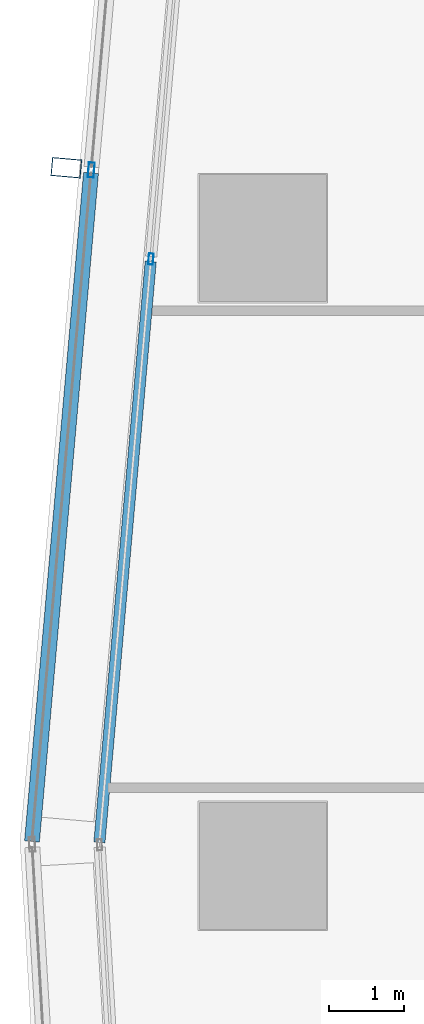
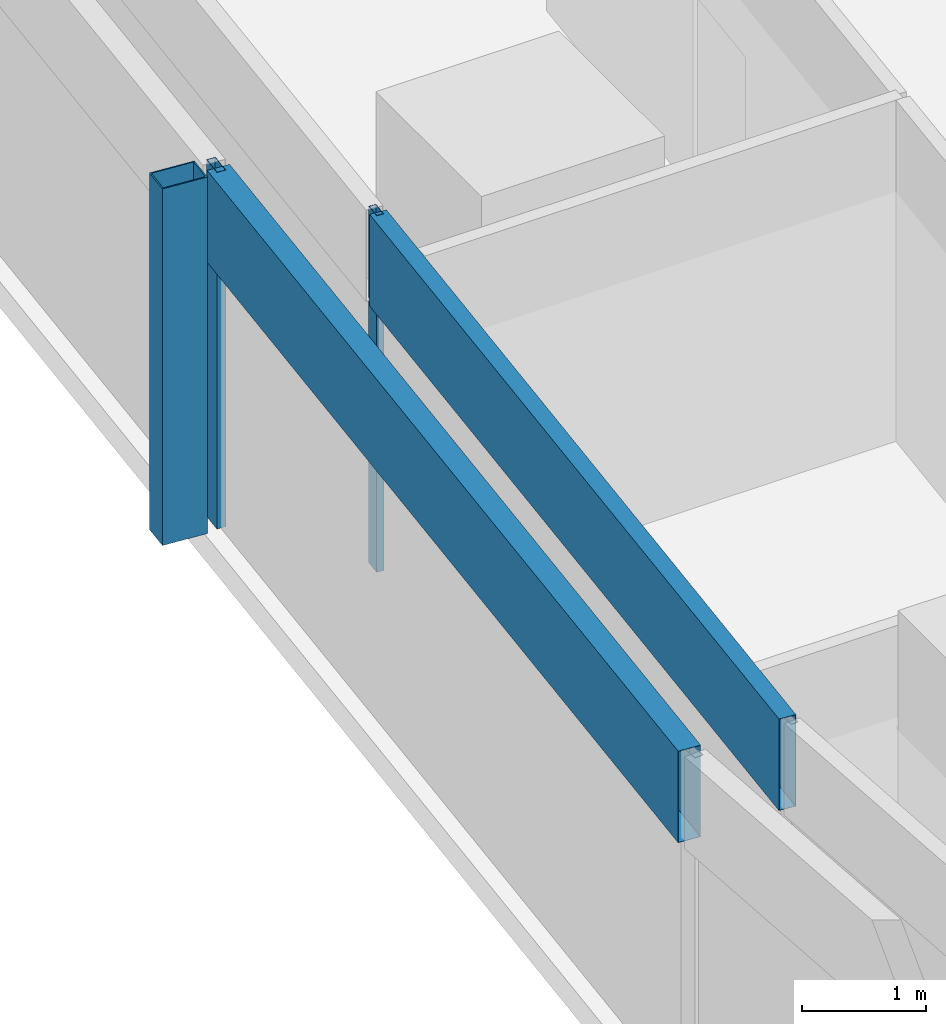
# One storey, part 16 of 39: 5 members, 2 elements without a shape of their own.
"""IFC4 building model written with IfcOpenShell, lengths in metres."""

from ifc_helpers import new_model, si_unit, direction, frame, origin, origin_2d, place, context, subcontext, project, spatial, hollow_rectangle, extrude, material, material_profile, profile_set, type_object, element, aggregate, save


model = new_model("IFC4")

# Units and contexts
model_context = context("Model", 3, precision=1e-05, world=origin(), true_north=direction((0.0, 1.0)))
body_context = subcontext(model_context, "Body", "Model", "MODEL_VIEW")
ifc_project = project(units=[si_unit("LENGTHUNIT", "METRE"), si_unit("AREAUNIT", "SQUARE_METRE"), si_unit("VOLUMEUNIT", "CUBIC_METRE"), si_unit("PLANEANGLEUNIT", "RADIAN"), si_unit("MASSUNIT", "GRAM", prefix="KILO")], contexts=[model_context])

# Site, building, storey
site_placement = place(None, origin())
site = spatial("IfcSite", under=ifc_project, at=site_placement, CompositionType="ELEMENT")
building_placement = place(site_placement, origin())
building = spatial("IfcBuilding", under=site, at=building_placement, Name="Rekha Terrace Tower", CompositionType="ELEMENT")
storey_placement = place(building_placement, frame((0.0, 0.0, 180.199951171875)))
storey = spatial("IfcBuildingStorey", under=building, at=storey_placement, Name="L45", CompositionType="ELEMENT", Elevation=180.199951171875)

# Curtain wall, member
ifc_material_1 = material(Name="Aluminium framing", Category="aluminium")
curtain_wall_type_1 = type_object("IfcCurtainWallType", Name="CW2 double skin outer glazing", PredefinedType="USERDEFINED", material=ifc_material_1)
curtain_wall_1_placement = place(storey_placement, origin())
curtain_wall_1 = element("IfcCurtainWall", 1, at=curtain_wall_1_placement, inside=storey, type_object=curtain_wall_type_1, Name="CW2 double skin outer glazing", ObjectType="DOUBLE SKIN OUTER GLAZING", PredefinedType="USERDEFINED")
ifc_material_2 = material(Name="Steel S355 with fluorocarbon finish", Category="steel")
ifc_material_profile_1 = material_profile(ifc_material_2, hollow_rectangle(XDim=0.25, YDim=0.39990234375, WallThickness=0.012451171875, at=origin_2d()), Name="RHS400x250x12.5")
ifc_profile_set_1 = profile_set([ifc_material_profile_1], Name="Steel S355 with fluorocarbon finish")
member_type_1 = type_object("IfcMemberType", Name="BL1 facade blade RHS 400 x 250", PredefinedType="USERDEFINED", material=ifc_profile_set_1)
member_1_placement = place(storey_placement, frame((5.77001953125, 51.341796875, 0.0), z_axis=(0.0, 0.0, 1.0), x_axis=(-0.087957249501, -0.996124250413, 0.0)))
member_1 = element("IfcMember", 2, at=member_1_placement, type_object=member_type_1, Name="Facade blade", ObjectType="FACADE BLADE", PredefinedType="USERDEFINED", context=body_context, shape_type="SweptSolid", body=[
    extrude(hollow_rectangle(XDim=0.25, YDim=0.39990234375, WallThickness=0.012451171875, at=origin_2d()), origin(), (0.0, 0.0, 1.0), 3.5),
])

# Curtain wall, members
curtain_wall_type_2 = type_object("IfcCurtainWallType", Name="CW1 double skin inner glazing", PredefinedType="USERDEFINED", material=ifc_material_1)
curtain_wall_2_placement = place(storey_placement, origin())
curtain_wall_2 = element("IfcCurtainWall", 3, at=curtain_wall_2_placement, inside=storey, type_object=curtain_wall_type_2, Name="CW1 double skin inner glazing", ObjectType="DOUBLE SKIN INNER GLAZING", PredefinedType="USERDEFINED")
ifc_material_3 = material(Name="Aluminium mullion section", Category="aluminium")
ifc_material_profile_2 = material_profile(ifc_material_3, hollow_rectangle(XDim=0.06494140625, YDim=0.14990234375, WallThickness=0.00390625, at=origin_2d()), Name="AL RHS 65x150")
ifc_profile_set_2 = profile_set([ifc_material_profile_2], Name="Aluminium mullion section")
member_type_2 = type_object("IfcMemberType", Name="CW1 mullion RHS 65 x 150", PredefinedType="MULLION", material=ifc_profile_set_2)
member_2_placement = place(storey_placement, frame((6.902099609375, 50.120361328125, 0.0), z_axis=(0.0, 0.0, 1.0), x_axis=(0.996124185425, -0.087957985488, 0.0)))
member_2 = element("IfcMember", 4, at=member_2_placement, type_object=member_type_2, Name="CW1 mullion 2", PredefinedType="MULLION", context=body_context, shape_type="SweptSolid", body=[
    extrude(hollow_rectangle(XDim=0.06494140625, YDim=0.14990234375, WallThickness=0.00390625, at=origin_2d()), origin(), (0.0, 0.0, 1.0), 3.5),
])
ifc_material_4 = material(Name="Insulated aluminium spandrel box", Category="aluminium")
ifc_material_profile_3 = material_profile(ifc_material_4, hollow_rectangle(XDim=0.14990234375, YDim=0.89990234375, WallThickness=0.0029296875, at=origin_2d()), Name="AL SPANDREL BOX 150x900")
ifc_profile_set_3 = profile_set([ifc_material_profile_3], Name="Insulated aluminium spandrel box")
member_type_3 = type_object("IfcMemberType", Name="CW1 spandrel transom 150 x 900", PredefinedType="USERDEFINED", material=ifc_profile_set_3)
member_3_placement = place(storey_placement, frame((6.899169921875, 50.087890625, 3.050048828125), z_axis=(-0.087974158084, -0.996122757249, 0.0), x_axis=(0.996122757249, -0.087974158084, 0.0)))
member_3 = element("IfcMember", 5, at=member_3_placement, type_object=member_type_3, Name="CW1 spandrel transom 2", ObjectType="TRANSOM", PredefinedType="USERDEFINED", context=body_context, shape_type="SweptSolid", body=[
    extrude(hollow_rectangle(XDim=0.14990234375, YDim=0.89990234375, WallThickness=0.0029296875, at=origin_2d()), origin(), (0.0, 0.0, 1.0), 7.8037109375),
])
aggregate(curtain_wall_2, [member_2, member_3])

# Member
ifc_material_profile_4 = material_profile(ifc_material_3, hollow_rectangle(XDim=0.080078125, YDim=0.199951171875, WallThickness=0.00390625, at=origin_2d()), Name="AL RHS 80x200")
ifc_profile_set_4 = profile_set([ifc_material_profile_4], Name="Aluminium mullion section")
member_type_4 = type_object("IfcMemberType", Name="CW2 mullion RHS 80 x 200", PredefinedType="MULLION", material=ifc_profile_set_4)
member_4_placement = place(storey_placement, frame((6.103759765625, 51.312255859375, 0.0), z_axis=(0.0, 0.0, 1.0), x_axis=(0.996124185428, -0.087957985453, 0.0)))
member_4 = element("IfcMember", 6, at=member_4_placement, type_object=member_type_4, Name="CW2 mullion 2", PredefinedType="MULLION", context=body_context, shape_type="SweptSolid", body=[
    extrude(hollow_rectangle(XDim=0.080078125, YDim=0.199951171875, WallThickness=0.00390625, at=origin_2d()), origin(), (0.0, 0.0, 1.0), 3.5),
])

ifc_material_profile_5 = material_profile(ifc_material_4, hollow_rectangle(XDim=0.199951171875, YDim=0.89990234375, WallThickness=0.0029296875, at=origin_2d()), Name="AL SPANDREL BOX 200x900")
ifc_profile_set_5 = profile_set([ifc_material_profile_5], Name="Insulated aluminium spandrel box")
member_type_5 = type_object("IfcMemberType", Name="CW2 spandrel transom 200 x 900", PredefinedType="USERDEFINED", material=ifc_profile_set_5)
member_5_placement = place(storey_placement, frame((6.100341796875, 51.2724609375, 3.050048828125), z_axis=(-0.087981092326, -0.996122144816, 0.0), x_axis=(0.996122144816, -0.087981092326, 0.0)))
member_5 = element("IfcMember", 7, at=member_5_placement, type_object=member_type_5, Name="CW2 spandrel transom 2", ObjectType="TRANSOM", PredefinedType="USERDEFINED", context=body_context, shape_type="SweptSolid", body=[
    extrude(hollow_rectangle(XDim=0.199951171875, YDim=0.89990234375, WallThickness=0.0029296875, at=origin_2d()), origin(), (0.0, 0.0, 1.0), 8.979736328125),
])

aggregate(curtain_wall_1, [member_4, member_5, member_1])

save(model, "model.ifc")
